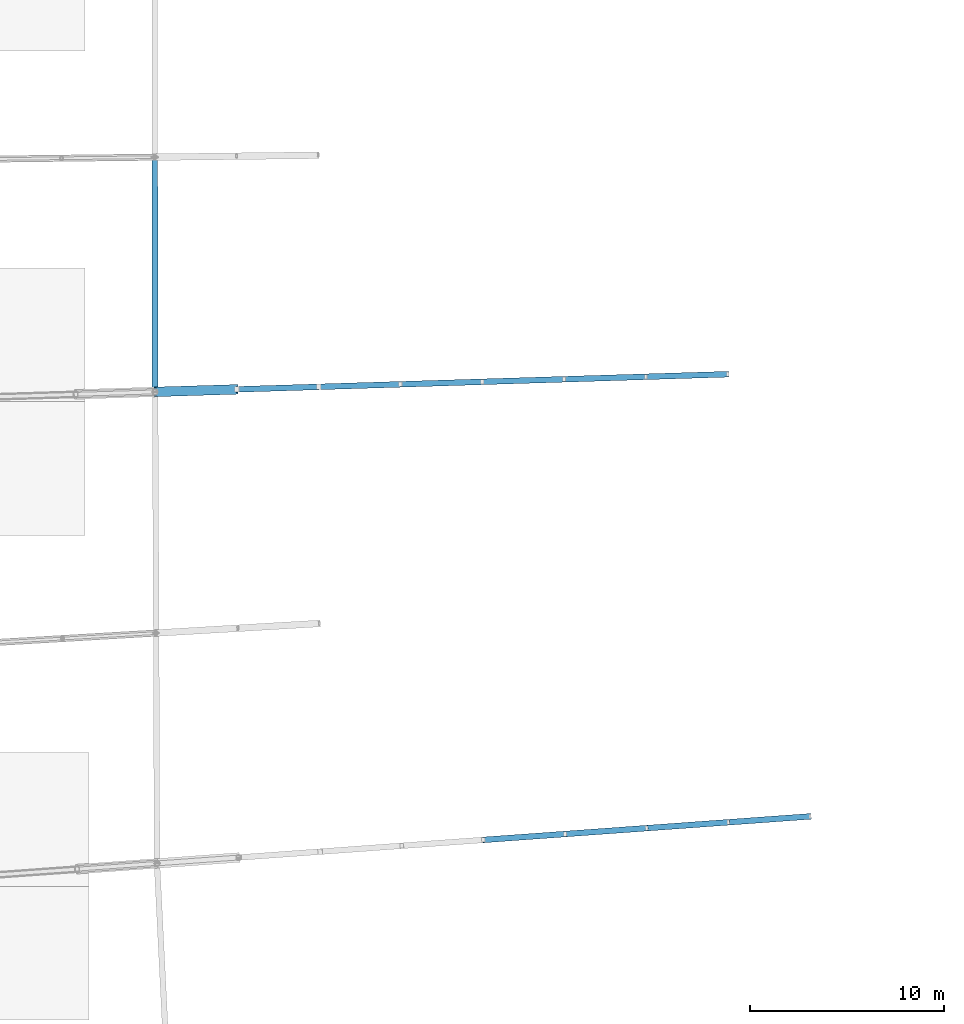
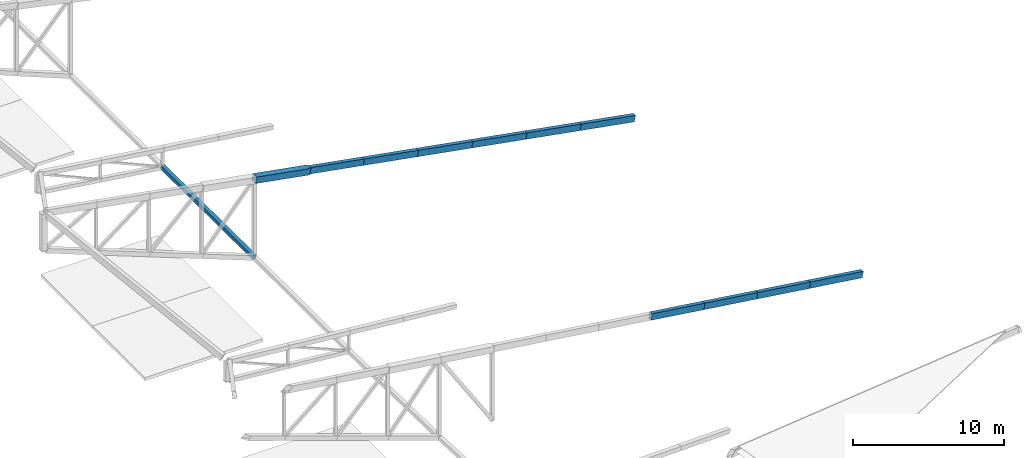
# One storey, part 35 of 188: 12 members.
"""IFC4 building model written with IfcOpenShell, lengths in metres."""

import ifcopenshell
import ifcopenshell.guid

model = None  # the IFC model being written
_history = None  # IfcOwnerHistory: only IFC2X3 demands one
_inside = {}  # id of a spatial element -> (the spatial element, [elements in it])
_under = {}  # id of a project, library or spatial element -> (it, [spatial elements below it])
_declared = {}  # id of a project -> (the project, [libraries it declares])
_typed = {}  # id of a type object -> (the type object, [elements of that type])
_made_of = {}  # id of a material, layer set ... -> (it, [elements and type objects made of it])


def new_model(schema):
    """Start an empty IFC model of exactly this schema.

    Asked for "IFC4X3", IfcOpenShell would pick the latest addendum, in which some entities
    have other attributes; the version numbers below select the first issue.
    IFC2X3 requires an IfcOwnerHistory on every rooted entity: one is made here for all.
    """
    global model, _history
    if schema == "IFC4X3":
        model = ifcopenshell.file(schema_version=(4, 3, 0, 0))
    else:
        model = ifcopenshell.file(schema=schema)
    _inside.clear()
    _under.clear()
    _declared.clear()
    _typed.clear()
    _made_of.clear()
    _history = None
    if model.schema == "IFC2X3":
        org = make("IfcOrganization", Name="unknown")
        user = make(
            "IfcPersonAndOrganization",
            ThePerson=make("IfcPerson", FamilyName="unknown"),
            TheOrganization=org,
        )
        app = make(
            "IfcApplication",
            ApplicationDeveloper=org,
            Version="unknown",
            ApplicationFullName="unknown",
            ApplicationIdentifier="unknown",
        )
        _history = make(
            "IfcOwnerHistory",
            OwningUser=user,
            OwningApplication=app,
            ChangeAction="ADDED",
            CreationDate=0,
        )
    return model


def make(cls, **values):
    """One entity of the class cls with the attributes given. An attribute that is None is left unset."""
    return model.create_entity(
        cls, **{name: value for name, value in values.items() if value is not None}
    )


def rooted(cls, **values):
    """An entity with a GlobalId (a new one), such as an element, a storey or a relation."""
    return make(cls, GlobalId=ifcopenshell.guid.new(), OwnerHistory=_history, **values)


def si_unit(unit_type, name, prefix=None):
    """IfcSIUnit, for example si_unit("LENGTHUNIT", "METRE", prefix="MILLI")."""
    return make("IfcSIUnit", UnitType=unit_type, Prefix=prefix, Name=name)


def assignment(units):
    """IfcUnitAssignment: the units of a project."""
    return None if units is None else make("IfcUnitAssignment", Units=units)


def point(xyz):
    """IfcCartesianPoint."""
    return None if xyz is None else make("IfcCartesianPoint", Coordinates=xyz)


def direction(xyz):
    """IfcDirection."""
    return None if xyz is None else make("IfcDirection", DirectionRatios=xyz)


def frame(location, z_axis=None, x_axis=None):
    """IfcAxis2Placement3D, a coordinate frame: its origin and axes. An axis left out is left unset."""
    return make(
        "IfcAxis2Placement3D",
        Location=point(location),
        Axis=direction(z_axis),
        RefDirection=direction(x_axis),
    )


def frame_2d(location, x_axis=None):
    """IfcAxis2Placement2D, a coordinate frame in the plane: its origin and x axis."""
    return make(
        "IfcAxis2Placement2D", Location=point(location), RefDirection=direction(x_axis)
    )


def origin():
    """The frame at (0, 0, 0) with its axes left unset."""
    return frame((0.0, 0.0, 0.0))


def origin_2d():
    """The frame at (0, 0) in the plane with its x axis left unset."""
    return frame_2d((0.0, 0.0))


def place(relative_to, where):
    """IfcLocalPlacement: puts the frame where relative to a parent placement (None: the world)."""
    return make(
        "IfcLocalPlacement", PlacementRelTo=relative_to, RelativePlacement=where
    )


def context(
    kind, dimensions, precision=None, world=None, true_north=None, identifier=None
):
    """IfcGeometricRepresentationContext, for example the 3D "Model" context."""
    return make(
        "IfcGeometricRepresentationContext",
        ContextIdentifier=identifier,
        ContextType=kind,
        CoordinateSpaceDimension=dimensions,
        Precision=precision,
        WorldCoordinateSystem=world,
        TrueNorth=true_north,
    )


def subcontext(parent, identifier, kind, view, scale=None):
    """IfcGeometricRepresentationSubContext, for example "Body" below "Model"."""
    return make(
        "IfcGeometricRepresentationSubContext",
        ContextIdentifier=identifier,
        ContextType=kind,
        ParentContext=parent,
        TargetScale=scale,
        TargetView=view,
    )


def project(units=None, contexts=None):
    """IfcProject with its units and contexts."""
    return rooted(
        "IfcProject",
        Name="project",
        RepresentationContexts=contexts,
        UnitsInContext=assignment(units),
    )


def spatial(cls, under=None, at=None, **own):
    """A site, building, storey or space (cls), placed at a placement, below another one or the project."""
    s = rooted(cls, ObjectPlacement=at, **own)
    if under is not None:
        _under.setdefault(under.id(), (under, []))[1].append(s)
    return s


def profile(cls, at=None, kind="AREA", **sizes):
    """A parametric profile (cls). Its sizes go by their IFC names, for example OverallWidth=200.0."""
    return make(cls, ProfileType=kind, Position=at, **sizes)


def hollow_rectangle(**sizes):
    """IfcRectangleHollowProfileDef."""
    return profile("IfcRectangleHollowProfileDef", **sizes)


def extrude(swept, where, along, depth):
    """IfcExtrudedAreaSolid: the profile swept, set in the frame where, extruded along a direction by depth."""
    return make(
        "IfcExtrudedAreaSolid",
        SweptArea=swept,
        Position=where,
        ExtrudedDirection=direction(along),
        Depth=depth,
    )


def shape(context_of_items, identifier, shape_type, items):
    """IfcShapeRepresentation: the items that make up one representation, for example the "Body"."""
    return make(
        "IfcShapeRepresentation",
        ContextOfItems=context_of_items,
        RepresentationIdentifier=identifier,
        RepresentationType=shape_type,
        Items=items,
    )


def material(Name=None, Category=None):
    """IfcMaterial."""
    return make("IfcMaterial", Name=Name, Category=Category)


def material_profile(
    of_material, cross_section, Name=None, Category=None, Priority=None
):
    """IfcMaterialProfile: a cross section and its material."""
    return make(
        "IfcMaterialProfile",
        Name=Name,
        Material=of_material,
        Profile=cross_section,
        Priority=Priority,
        Category=Category,
    )


def profile_set(profiles, Name=None, composite=None):
    """IfcMaterialProfileSet."""
    return make(
        "IfcMaterialProfileSet",
        Name=Name,
        MaterialProfiles=profiles,
        CompositeProfile=composite,
    )


def made_of(thing, what):
    """Note that an element or type object is made of a material, layer set ...; save() writes the relation."""
    if what is not None:
        _made_of.setdefault(what.id(), (what, []))[1].append(thing)
    return thing


def type_object(cls, material=None, **own):
    """A type object (cls), such as IfcWallType, which elements share."""
    return made_of(rooted(cls, **own), material)


def element(
    cls,
    number,
    at=None,
    inside=None,
    cuts=None,
    type_object=None,
    material=None,
    context=None,
    identifier="Body",
    shape_type=None,
    held_by="IfcProductDefinitionShape",
    body=None,
    shapes=None,
    **own,
):
    """One element of the class cls, such as IfcWall. Its Tag is "e" and its number.

    at: its placement. inside: the storey or other place that contains it. cuts: it is an
    opening in that element (IfcRelVoidsElement). A single representation is given by context,
    identifier, shape_type and body (its items); several are given by shapes. held_by: the class
    of the entity that holds the representations. save() writes the other relations.
    """
    e = rooted(cls, Tag="e%d" % number, ObjectPlacement=at, **own)
    if body is not None:
        shapes = [shape(context, identifier, shape_type, body)]
    if shapes is not None:
        e.Representation = make(held_by, Representations=shapes)
    if inside is not None:
        _inside.setdefault(inside.id(), (inside, []))[1].append(e)
    if cuts is not None:
        rooted(
            "IfcRelVoidsElement", RelatingBuildingElement=cuts, RelatedOpeningElement=e
        )
    if type_object is not None:
        _typed.setdefault(type_object.id(), (type_object, []))[1].append(e)
    return made_of(e, material)


def aggregate(whole, parts):
    """IfcRelAggregates: a whole, such as a stair, and the parts it consists of."""
    return rooted("IfcRelAggregates", RelatingObject=whole, RelatedObjects=parts)


def save(model, path):
    """Write the relations noted so far, then the file.

    IfcRelAggregates (storeys below a building ...), IfcRelContainedInSpatialStructure (elements
    in a storey), IfcRelDefinesByType, IfcRelAssociatesMaterial and IfcRelDeclares: one each for
    every whole, place, type object, material and project.
    """
    for whole, parts in _under.values():
        aggregate(whole, parts)
    for where, things in _inside.values():
        rooted(
            "IfcRelContainedInSpatialStructure",
            RelatedElements=things,
            RelatingStructure=where,
        )
    for kind, things in _typed.values():
        rooted("IfcRelDefinesByType", RelatedObjects=things, RelatingType=kind)
    for what, things in _made_of.values():
        rooted("IfcRelAssociatesMaterial", RelatedObjects=things, RelatingMaterial=what)
    for by, libraries in _declared.values():
        rooted("IfcRelDeclares", RelatingContext=by, RelatedDefinitions=libraries)
    model.write(path)


model = new_model("IFC4")

# Units and contexts
model_context = context("Model", 3, precision=1e-05, world=origin(), true_north=direction((0.0, 1.0)))
body_context = subcontext(model_context, "Body", "Model", "MODEL_VIEW")
ifc_project = project(units=[si_unit("LENGTHUNIT", "METRE"), si_unit("AREAUNIT", "SQUARE_METRE"), si_unit("VOLUMEUNIT", "CUBIC_METRE"), si_unit("PLANEANGLEUNIT", "RADIAN"), si_unit("MASSUNIT", "GRAM", prefix="KILO")], contexts=[model_context])

# Site, building, storey
site_placement = place(None, origin())
site = spatial("IfcSite", under=ifc_project, at=site_placement, CompositionType="ELEMENT")
building_placement = place(site_placement, origin())
building = spatial("IfcBuilding", under=site, at=building_placement, Name="Meseta Stadium", CompositionType="ELEMENT")
storey_placement = place(building_placement, frame((0.0, 0.0, 30.0)))
storey = spatial("IfcBuildingStorey", under=building, at=storey_placement, Name="ROOF", CompositionType="ELEMENT", Elevation=30.0)

# Members
ifc_material_1 = material(Name="Steel S355", Category="steel")
ifc_material_profile_1 = material_profile(ifc_material_1, hollow_rectangle(XDim=0.300048828125, YDim=0.5, WallThickness=0.01611328125, at=origin_2d()), Name="RHS 500x300x16")
ifc_profile_set_1 = profile_set([ifc_material_profile_1], Name="Steel S355")
member_type_1 = type_object("IfcMemberType", Name="RHS 500x300x16 top chord", PredefinedType="CHORD", material=ifc_profile_set_1)
for number, where, z_axis, x_axis, name in (
    (1, (-55.437255859375, -17.33251953125, 1.21728515625), (-0.979751969075, -0.03020986923, 0.197922820549), (0.030819553754, -0.999524964724, 0.0), "ROOF TRUSS RT-34 top chord"),
    (2, (-59.657470703125, -17.462646484375, 2.06982421875), (-0.979762958597, -0.030210208084, 0.197868361012), (0.030819553754, -0.999524964724, 0.0), "ROOF TRUSS RT-34 top chord"),
    (3, (-63.877685546875, -17.5927734375, 2.922119140625), (-0.979751969075, -0.03020986923, 0.197922820549), (0.030819553754, -0.999524964724, 0.0), "ROOF TRUSS RT-34 top chord"),
    (4, (-68.097900390625, -17.722900390625, 3.774658203125), (-0.979762958597, -0.030210208084, 0.197868361012), (0.030819553754, -0.999524964724, 0.0), "ROOF TRUSS RT-34 top chord"),
):
    element("IfcMember", number, at=place(storey_placement, frame(where, z_axis=z_axis, x_axis=x_axis)), inside=storey, type_object=member_type_1, Name=name, PredefinedType="CHORD", context=body_context, shape_type="SweptSolid", body=[
        extrude(hollow_rectangle(XDim=0.300048828125, YDim=0.5, WallThickness=0.01611328125, at=origin_2d()), origin(), (0.0, 0.0, 1.0), 4.307373046875),
    ])
member_1_placement = place(storey_placement, frame((-72.318115234375, -17.85302734375, 4.626953125), z_axis=(-0.979748017505, -0.03026817711, 0.197933472787), x_axis=(0.030879106142, -0.999523126698, 0.0)))
element("IfcMember", 5, at=member_1_placement, inside=storey, type_object=member_type_1, Name="ROOF TRUSS RT-34 top chord", PredefinedType="CHORD", context=body_context, shape_type="SweptSolid", body=[
    extrude(hollow_rectangle(XDim=0.300048828125, YDim=0.5, WallThickness=0.01611328125, at=origin_2d()), origin(), (0.0, 0.0, 1.0), 4.30712890625),
])
member_2_placement = place(storey_placement, frame((-76.5380859375, -17.9833984375, 5.4794921875), z_axis=(-0.979762958597, -0.030210208084, 0.197868361012), x_axis=(0.030819553754, -0.999524964724, 0.0)))
element("IfcMember", 6, at=member_2_placement, inside=storey, type_object=member_type_1, Name="ROOF TRUSS RT-34 top chord", PredefinedType="CHORD", context=body_context, shape_type="SweptSolid", body=[
    extrude(hollow_rectangle(XDim=0.300048828125, YDim=0.5, WallThickness=0.01611328125, at=origin_2d()), origin(), (0.0, 0.0, 1.0), 4.307373046875),
])
for number, where, z_axis, x_axis, name in (
    (7, (-51.193603515625, -40.13720703125, 0.956298828125), (-0.979974658819, -0.07050136531, 0.186223590238), (0.07175657498, -0.997422174381, 0.0), "ROOF TRUSS RT-36 top chord"),
    (8, (-55.405029296875, -40.440185546875, 1.756591796875), (-0.979968479157, -0.07056182104, 0.186233212051), (0.071818240378, -0.997417736131, 0.0), "ROOF TRUSS RT-36 top chord"),
    (9, (-59.6162109375, -40.743408203125, 2.556884765625), (-0.979974658819, -0.07050136531, 0.186223590238), (0.07175657498, -0.997422174381, 0.0), "ROOF TRUSS RT-36 top chord"),
    (10, (-63.82763671875, -41.04638671875, 3.357177734375), (-0.979972406129, -0.07050529051, 0.186233958333), (0.071760713601, -0.997421876632, 0.0), "ROOF TRUSS RT-36 top chord"),
):
    element("IfcMember", number, at=place(storey_placement, frame(where, z_axis=z_axis, x_axis=x_axis)), inside=storey, type_object=member_type_1, Name=name, PredefinedType="CHORD", context=body_context, shape_type="SweptSolid", body=[
        extrude(hollow_rectangle(XDim=0.300048828125, YDim=0.5, WallThickness=0.01611328125, at=origin_2d()), origin(), (0.0, 0.0, 1.0), 4.29736328125),
    ])
ifc_material_2 = material(Name="Steel S355", Category="steel")
ifc_material_profile_2 = material_profile(ifc_material_2, hollow_rectangle(XDim=0.300048828125, YDim=0.300048828125, WallThickness=0.010009765625, at=origin_2d()), Name="SHS 300x300x10")
ifc_profile_set_2 = profile_set([ifc_material_profile_2], Name="Steel S355")
member_type_2 = type_object("IfcMemberType", Name="SHS 300x300x10 pivot strut", PredefinedType="STRUT", material=ifc_profile_set_2)
member_3_placement = place(storey_placement, frame((-84.9970703125, -6.13720703125, 0.800048828125), z_axis=(0.001532613449, -0.999989943704, 0.004214686985), x_axis=(0.999998825526, 0.001532627062, 0.0)))
element("IfcMember", 11, at=member_3_placement, inside=storey, type_object=member_type_2, Name="ROOF PIVOT STRUT RT-33/34", PredefinedType="STRUT", context=body_context, shape_type="SweptSolid", body=[
    extrude(hollow_rectangle(XDim=0.300048828125, YDim=0.300048828125, WallThickness=0.010009765625, at=origin_2d()), origin(), (0.0, 0.0, 1.0), 12.1064453125),
])
ifc_material_3 = material(Name="Steel S355", Category="steel")
ifc_material_profile_3 = material_profile(ifc_material_3, hollow_rectangle(XDim=0.5, YDim=0.5, WallThickness=0.01611328125, at=origin_2d()), Name="SHS 500x500x16")
ifc_profile_set_3 = profile_set([ifc_material_profile_3], Name="Steel S355")
member_type_3 = type_object("IfcMemberType", Name="SHS 500x500x16 top chord", PredefinedType="CHORD", material=ifc_profile_set_3)
member_4_placement = place(storey_placement, frame((-80.75830078125, -18.113525390625, 6.331787109375), z_axis=(-0.979751969075, -0.03020986923, 0.197922820549), x_axis=(0.030819553754, -0.999524964724, 0.0)))
element("IfcMember", 12, at=member_4_placement, inside=storey, type_object=member_type_3, Name="ROOF TRUSS RT-34 top chord", PredefinedType="CHORD", context=body_context, shape_type="SweptSolid", body=[
    extrude(hollow_rectangle(XDim=0.5, YDim=0.5, WallThickness=0.01611328125, at=origin_2d()), origin(), (0.0, 0.0, 1.0), 4.307373046875),
])

save(model, "model.ifc")
